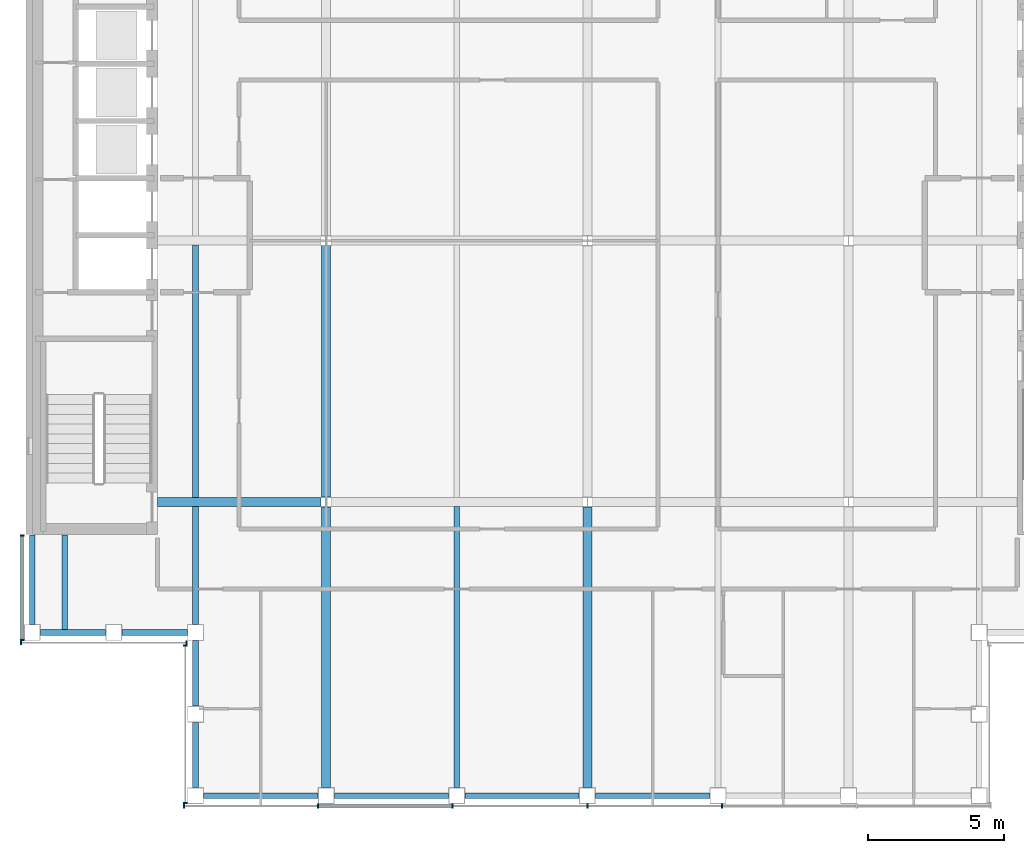
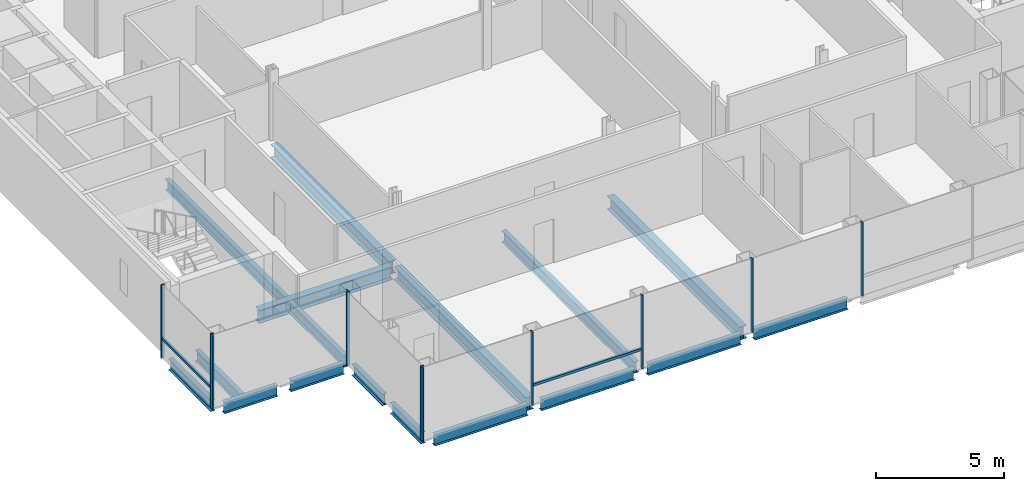
# One storey, part 3 of 15: 17 beams, 13 members, 4 elements without a shape of their own.
"""IFC4 building model written with IfcOpenShell, lengths in metres."""

import ifcopenshell
import ifcopenshell.guid

model = None  # the IFC model being written
_history = None  # IfcOwnerHistory: only IFC2X3 demands one
_inside = {}  # id of a spatial element -> (the spatial element, [elements in it])
_under = {}  # id of a project, library or spatial element -> (it, [spatial elements below it])
_declared = {}  # id of a project -> (the project, [libraries it declares])
_typed = {}  # id of a type object -> (the type object, [elements of that type])
_made_of = {}  # id of a material, layer set ... -> (it, [elements and type objects made of it])


def new_model(schema):
    """Start an empty IFC model of exactly this schema.

    Asked for "IFC4X3", IfcOpenShell would pick the latest addendum, in which some entities
    have other attributes; the version numbers below select the first issue.
    IFC2X3 requires an IfcOwnerHistory on every rooted entity: one is made here for all.
    """
    global model, _history
    if schema == "IFC4X3":
        model = ifcopenshell.file(schema_version=(4, 3, 0, 0))
    else:
        model = ifcopenshell.file(schema=schema)
    _inside.clear()
    _under.clear()
    _declared.clear()
    _typed.clear()
    _made_of.clear()
    _history = None
    if model.schema == "IFC2X3":
        org = make("IfcOrganization", Name="unknown")
        user = make(
            "IfcPersonAndOrganization",
            ThePerson=make("IfcPerson", FamilyName="unknown"),
            TheOrganization=org,
        )
        app = make(
            "IfcApplication",
            ApplicationDeveloper=org,
            Version="unknown",
            ApplicationFullName="unknown",
            ApplicationIdentifier="unknown",
        )
        _history = make(
            "IfcOwnerHistory",
            OwningUser=user,
            OwningApplication=app,
            ChangeAction="ADDED",
            CreationDate=0,
        )
    return model


def make(cls, **values):
    """One entity of the class cls with the attributes given. An attribute that is None is left unset."""
    return model.create_entity(
        cls, **{name: value for name, value in values.items() if value is not None}
    )


def rooted(cls, **values):
    """An entity with a GlobalId (a new one), such as an element, a storey or a relation."""
    return make(cls, GlobalId=ifcopenshell.guid.new(), OwnerHistory=_history, **values)


def si_unit(unit_type, name, prefix=None):
    """IfcSIUnit, for example si_unit("LENGTHUNIT", "METRE", prefix="MILLI")."""
    return make("IfcSIUnit", UnitType=unit_type, Prefix=prefix, Name=name)


def assignment(units):
    """IfcUnitAssignment: the units of a project."""
    return None if units is None else make("IfcUnitAssignment", Units=units)


def point(xyz):
    """IfcCartesianPoint."""
    return None if xyz is None else make("IfcCartesianPoint", Coordinates=xyz)


def direction(xyz):
    """IfcDirection."""
    return None if xyz is None else make("IfcDirection", DirectionRatios=xyz)


def frame(location, z_axis=None, x_axis=None):
    """IfcAxis2Placement3D, a coordinate frame: its origin and axes. An axis left out is left unset."""
    return make(
        "IfcAxis2Placement3D",
        Location=point(location),
        Axis=direction(z_axis),
        RefDirection=direction(x_axis),
    )


def frame_2d(location, x_axis=None):
    """IfcAxis2Placement2D, a coordinate frame in the plane: its origin and x axis."""
    return make(
        "IfcAxis2Placement2D", Location=point(location), RefDirection=direction(x_axis)
    )


def origin():
    """The frame at (0, 0, 0) with its axes left unset."""
    return frame((0.0, 0.0, 0.0))


def origin_2d():
    """The frame at (0, 0) in the plane with its x axis left unset."""
    return frame_2d((0.0, 0.0))


def place(relative_to, where):
    """IfcLocalPlacement: puts the frame where relative to a parent placement (None: the world)."""
    return make(
        "IfcLocalPlacement", PlacementRelTo=relative_to, RelativePlacement=where
    )


def context(
    kind, dimensions, precision=None, world=None, true_north=None, identifier=None
):
    """IfcGeometricRepresentationContext, for example the 3D "Model" context."""
    return make(
        "IfcGeometricRepresentationContext",
        ContextIdentifier=identifier,
        ContextType=kind,
        CoordinateSpaceDimension=dimensions,
        Precision=precision,
        WorldCoordinateSystem=world,
        TrueNorth=true_north,
    )


def subcontext(parent, identifier, kind, view, scale=None):
    """IfcGeometricRepresentationSubContext, for example "Body" below "Model"."""
    return make(
        "IfcGeometricRepresentationSubContext",
        ContextIdentifier=identifier,
        ContextType=kind,
        ParentContext=parent,
        TargetScale=scale,
        TargetView=view,
    )


def project(units=None, contexts=None):
    """IfcProject with its units and contexts."""
    return rooted(
        "IfcProject",
        Name="project",
        RepresentationContexts=contexts,
        UnitsInContext=assignment(units),
    )


def spatial(cls, under=None, at=None, **own):
    """A site, building, storey or space (cls), placed at a placement, below another one or the project."""
    s = rooted(cls, ObjectPlacement=at, **own)
    if under is not None:
        _under.setdefault(under.id(), (under, []))[1].append(s)
    return s


def profile(cls, at=None, kind="AREA", **sizes):
    """A parametric profile (cls). Its sizes go by their IFC names, for example OverallWidth=200.0."""
    return make(cls, ProfileType=kind, Position=at, **sizes)


def rectangle(**sizes):
    """IfcRectangleProfileDef."""
    return profile("IfcRectangleProfileDef", **sizes)


def i_section(**sizes):
    """IfcIShapeProfileDef."""
    return profile("IfcIShapeProfileDef", **sizes)


def extrude(swept, where, along, depth):
    """IfcExtrudedAreaSolid: the profile swept, set in the frame where, extruded along a direction by depth."""
    return make(
        "IfcExtrudedAreaSolid",
        SweptArea=swept,
        Position=where,
        ExtrudedDirection=direction(along),
        Depth=depth,
    )


def shape(context_of_items, identifier, shape_type, items):
    """IfcShapeRepresentation: the items that make up one representation, for example the "Body"."""
    return make(
        "IfcShapeRepresentation",
        ContextOfItems=context_of_items,
        RepresentationIdentifier=identifier,
        RepresentationType=shape_type,
        Items=items,
    )


def material(Name=None, Category=None):
    """IfcMaterial."""
    return make("IfcMaterial", Name=Name, Category=Category)


def material_profile(
    of_material, cross_section, Name=None, Category=None, Priority=None
):
    """IfcMaterialProfile: a cross section and its material."""
    return make(
        "IfcMaterialProfile",
        Name=Name,
        Material=of_material,
        Profile=cross_section,
        Priority=Priority,
        Category=Category,
    )


def profile_set(profiles, Name=None, composite=None):
    """IfcMaterialProfileSet."""
    return make(
        "IfcMaterialProfileSet",
        Name=Name,
        MaterialProfiles=profiles,
        CompositeProfile=composite,
    )


def made_of(thing, what):
    """Note that an element or type object is made of a material, layer set ...; save() writes the relation."""
    if what is not None:
        _made_of.setdefault(what.id(), (what, []))[1].append(thing)
    return thing


def type_object(cls, material=None, **own):
    """A type object (cls), such as IfcWallType, which elements share."""
    return made_of(rooted(cls, **own), material)


def element(
    cls,
    number,
    at=None,
    inside=None,
    cuts=None,
    type_object=None,
    material=None,
    context=None,
    identifier="Body",
    shape_type=None,
    held_by="IfcProductDefinitionShape",
    body=None,
    shapes=None,
    **own,
):
    """One element of the class cls, such as IfcWall. Its Tag is "e" and its number.

    at: its placement. inside: the storey or other place that contains it. cuts: it is an
    opening in that element (IfcRelVoidsElement). A single representation is given by context,
    identifier, shape_type and body (its items); several are given by shapes. held_by: the class
    of the entity that holds the representations. save() writes the other relations.
    """
    e = rooted(cls, Tag="e%d" % number, ObjectPlacement=at, **own)
    if body is not None:
        shapes = [shape(context, identifier, shape_type, body)]
    if shapes is not None:
        e.Representation = make(held_by, Representations=shapes)
    if inside is not None:
        _inside.setdefault(inside.id(), (inside, []))[1].append(e)
    if cuts is not None:
        rooted(
            "IfcRelVoidsElement", RelatingBuildingElement=cuts, RelatedOpeningElement=e
        )
    if type_object is not None:
        _typed.setdefault(type_object.id(), (type_object, []))[1].append(e)
    return made_of(e, material)


def aggregate(whole, parts):
    """IfcRelAggregates: a whole, such as a stair, and the parts it consists of."""
    return rooted("IfcRelAggregates", RelatingObject=whole, RelatedObjects=parts)


def save(model, path):
    """Write the relations noted so far, then the file.

    IfcRelAggregates (storeys below a building ...), IfcRelContainedInSpatialStructure (elements
    in a storey), IfcRelDefinesByType, IfcRelAssociatesMaterial and IfcRelDeclares: one each for
    every whole, place, type object, material and project.
    """
    for whole, parts in _under.values():
        aggregate(whole, parts)
    for where, things in _inside.values():
        rooted(
            "IfcRelContainedInSpatialStructure",
            RelatedElements=things,
            RelatingStructure=where,
        )
    for kind, things in _typed.values():
        rooted("IfcRelDefinesByType", RelatedObjects=things, RelatingType=kind)
    for what, things in _made_of.values():
        rooted("IfcRelAssociatesMaterial", RelatedObjects=things, RelatingMaterial=what)
    for by, libraries in _declared.values():
        rooted("IfcRelDeclares", RelatingContext=by, RelatedDefinitions=libraries)
    model.write(path)


model = new_model("IFC4")

# Units and contexts
model_context = context("Model", 3, precision=1e-05, world=origin(), true_north=direction((0.0, 1.0)))
body_context = subcontext(model_context, "Body", "Model", "MODEL_VIEW")
ifc_project = project(units=[si_unit("LENGTHUNIT", "METRE"), si_unit("AREAUNIT", "SQUARE_METRE"), si_unit("VOLUMEUNIT", "CUBIC_METRE"), si_unit("PLANEANGLEUNIT", "RADIAN"), si_unit("MASSUNIT", "GRAM", prefix="KILO")], contexts=[model_context])

# Site, building, storey
site_placement = place(None, origin())
site = spatial("IfcSite", under=ifc_project, at=site_placement, CompositionType="ELEMENT")
building_placement = place(site_placement, origin())
building = spatial("IfcBuilding", under=site, at=building_placement, Name="Cobrizo Arcos Hotel Tower", CompositionType="ELEMENT")
storey_placement = place(building_placement, frame((0.0, 0.0, 251.5)))
storey = spatial("IfcBuildingStorey", under=building, at=storey_placement, Name="L66", CompositionType="ELEMENT", Elevation=251.5)

# Curtain wall, members
ifc_material_1 = material(Name="Aluminium 6063-T6 anodised bronze", Category="aluminium")
curtain_wall_type = type_object("IfcCurtainWallType", Name="CW-A guest facade", PredefinedType="NOTDEFINED", material=ifc_material_1)
curtain_wall_1_placement = place(storey_placement, origin())
curtain_wall_1 = element("IfcCurtainWall", 1, at=curtain_wall_1_placement, inside=storey, type_object=curtain_wall_type, Name="CW-A L66 S face", PredefinedType="NOTDEFINED")
ifc_material_profile_1 = material_profile(ifc_material_1, rectangle(XDim=0.14990234375, YDim=0.06005859375, at=origin_2d()), Name="CW-A mullion 150x60")
ifc_profile_set_1 = profile_set([ifc_material_profile_1], Name="Aluminium 6063-T6 anodised bronze")
member_type_1 = type_object("IfcMemberType", Name="CW-A mullion 150x60", PredefinedType="MULLION", material=ifc_profile_set_1)
member_1_placement = place(storey_placement, frame((-14.820068359375, -20.77490234375, 0.0), z_axis=(0.0, 0.0, 1.0), x_axis=(0.0, -1.0, 0.0)))
member_1 = element("IfcMember", 2, at=member_1_placement, type_object=member_type_1, Name="CW-A mullion 1", PredefinedType="MULLION", context=body_context, shape_type="SweptSolid", body=[
    extrude(rectangle(XDim=0.14990234375, YDim=0.06005859375, at=origin_2d()), origin(), (0.0, 0.0, 1.0), 3.5),
])
member_2_placement = place(storey_placement, frame((-9.89990234375, -20.77490234375, 0.0), z_axis=(0.0, 0.0, 1.0), x_axis=(0.0, -1.0, 0.0)))
member_2 = element("IfcMember", 3, at=member_2_placement, type_object=member_type_1, Name="CW-A mullion 2", PredefinedType="MULLION", context=body_context, shape_type="SweptSolid", body=[
    extrude(rectangle(XDim=0.14990234375, YDim=0.06005859375, at=origin_2d()), origin(), (0.0, 0.0, 1.0), 3.5),
])
member_3_placement = place(storey_placement, frame((-4.949951171875, -20.77490234375, 0.0), z_axis=(0.0, 0.0, 1.0), x_axis=(0.0, -1.0, 0.0)))
member_3 = element("IfcMember", 4, at=member_3_placement, type_object=member_type_1, Name="CW-A mullion 3", PredefinedType="MULLION", context=body_context, shape_type="SweptSolid", body=[
    extrude(rectangle(XDim=0.14990234375, YDim=0.06005859375, at=origin_2d()), origin(), (0.0, 0.0, 1.0), 3.5),
])
member_4_placement = place(storey_placement, frame((0.0, -20.77490234375, 0.0), z_axis=(0.0, 0.0, 1.0), x_axis=(0.0, -1.0, 0.0)))
member_4 = element("IfcMember", 5, at=member_4_placement, type_object=member_type_1, Name="CW-A mullion 4", PredefinedType="MULLION", context=body_context, shape_type="SweptSolid", body=[
    extrude(rectangle(XDim=0.14990234375, YDim=0.06005859375, at=origin_2d()), origin(), (0.0, 0.0, 1.0), 3.5),
])
member_5_placement = place(storey_placement, frame((4.949951171875, -20.77490234375, 0.0), z_axis=(0.0, 0.0, 1.0), x_axis=(0.0, -1.0, 0.0)))
member_5 = element("IfcMember", 6, at=member_5_placement, type_object=member_type_1, Name="CW-A mullion 5", PredefinedType="MULLION", context=body_context, shape_type="SweptSolid", body=[
    extrude(rectangle(XDim=0.14990234375, YDim=0.06005859375, at=origin_2d()), origin(), (0.0, 0.0, 1.0), 3.5),
])

curtain_wall_2_placement = place(storey_placement, origin())
curtain_wall_2 = element("IfcCurtainWall", 7, at=curtain_wall_2_placement, inside=storey, type_object=curtain_wall_type, Name="CW-A L66 W face", PredefinedType="NOTDEFINED")
member_6_placement = place(storey_placement, frame((-20.77490234375, -10.830078125, 0.0), z_axis=(0.0, 0.0, 1.0), x_axis=(-1.0, 0.0, 0.0)))
member_6 = element("IfcMember", 8, at=member_6_placement, type_object=member_type_1, Name="CW-A mullion 1", PredefinedType="MULLION", context=body_context, shape_type="SweptSolid", body=[
    extrude(rectangle(XDim=0.14990234375, YDim=0.06005859375, at=origin_2d()), origin(), (0.0, 0.0, 1.0), 3.5),
])
member_7_placement = place(storey_placement, frame((-20.77490234375, -14.669921875, 0.0), z_axis=(0.0, 0.0, 1.0), x_axis=(-1.0, 0.0, 0.0)))
member_7 = element("IfcMember", 9, at=member_7_placement, type_object=member_type_1, Name="CW-A mullion 2", PredefinedType="MULLION", context=body_context, shape_type="SweptSolid", body=[
    extrude(rectangle(XDim=0.14990234375, YDim=0.06005859375, at=origin_2d()), origin(), (0.0, 0.0, 1.0), 3.5),
])

curtain_wall_3_placement = place(storey_placement, origin())
curtain_wall_3 = element("IfcCurtainWall", 10, at=curtain_wall_3_placement, inside=storey, type_object=curtain_wall_type, Name="CW-A L66 S face", PredefinedType="NOTDEFINED")
member_8_placement = place(storey_placement, frame((-20.820068359375, -14.77490234375, 0.0), z_axis=(0.0, 0.0, 1.0), x_axis=(0.0, -1.0, 0.0)))
member_8 = element("IfcMember", 11, at=member_8_placement, type_object=member_type_1, Name="CW-A mullion 1", PredefinedType="MULLION", context=body_context, shape_type="SweptSolid", body=[
    extrude(rectangle(XDim=0.14990234375, YDim=0.06005859375, at=origin_2d()), origin(), (0.0, 0.0, 1.0), 3.5),
])
member_9_placement = place(storey_placement, frame((-14.72998046875, -14.77490234375, 0.0), z_axis=(0.0, 0.0, 1.0), x_axis=(0.0, -1.0, 0.0)))
member_9 = element("IfcMember", 12, at=member_9_placement, type_object=member_type_1, Name="CW-A mullion 2", PredefinedType="MULLION", context=body_context, shape_type="SweptSolid", body=[
    extrude(rectangle(XDim=0.14990234375, YDim=0.06005859375, at=origin_2d()), origin(), (0.0, 0.0, 1.0), 3.5),
])
aggregate(curtain_wall_3, [member_8, member_9])

curtain_wall_4_placement = place(storey_placement, origin())
curtain_wall_4 = element("IfcCurtainWall", 13, at=curtain_wall_4_placement, inside=storey, type_object=curtain_wall_type, Name="CW-A L66 W face", PredefinedType="NOTDEFINED")
member_10_placement = place(storey_placement, frame((-14.77490234375, -14.8798828125, 0.0), z_axis=(0.0, 0.0, 1.0), x_axis=(-1.0, 0.0, 0.0)))
member_10 = element("IfcMember", 14, at=member_10_placement, type_object=member_type_1, Name="CW-A mullion 1", PredefinedType="MULLION", context=body_context, shape_type="SweptSolid", body=[
    extrude(rectangle(XDim=0.14990234375, YDim=0.06005859375, at=origin_2d()), origin(), (0.0, 0.0, 1.0), 3.5),
])
member_11_placement = place(storey_placement, frame((-14.77490234375, -20.669921875, 0.0), z_axis=(0.0, 0.0, 1.0), x_axis=(-1.0, 0.0, 0.0)))
member_11 = element("IfcMember", 15, at=member_11_placement, type_object=member_type_1, Name="CW-A mullion 2", PredefinedType="MULLION", context=body_context, shape_type="SweptSolid", body=[
    extrude(rectangle(XDim=0.14990234375, YDim=0.06005859375, at=origin_2d()), origin(), (0.0, 0.0, 1.0), 3.5),
])
aggregate(curtain_wall_4, [member_10, member_11])

# Member
ifc_material_profile_2 = material_profile(ifc_material_1, rectangle(XDim=0.10009765625, YDim=0.1201171875, at=origin_2d()), Name="CW-A transom 120x100")
ifc_profile_set_2 = profile_set([ifc_material_profile_2], Name="Aluminium 6063-T6 anodised bronze")
member_type_2 = type_object("IfcMemberType", Name="CW-A transom 120x100", PredefinedType="USERDEFINED", material=ifc_profile_set_2)
member_12_placement = place(storey_placement, frame((-9.8701171875, -20.77490234375, 0.929931640625), z_axis=(1.0, 0.0, 0.0), x_axis=(0.0, 1.0, 0.0)))
member_12 = element("IfcMember", 16, at=member_12_placement, type_object=member_type_2, Name="CW-A transom 2085", ObjectType="TRANSOM", PredefinedType="USERDEFINED", context=body_context, shape_type="SweptSolid", body=[
    extrude(rectangle(XDim=0.10009765625, YDim=0.1201171875, at=origin_2d()), origin(), (0.0, 0.0, 1.0), 4.89013671875),
])

aggregate(curtain_wall_1, [member_1, member_2, member_3, member_4, member_5, member_12])

member_13_placement = place(storey_placement, frame((-20.77490234375, -10.860107421875, 0.929931640625), z_axis=(0.0, -1.0, 0.0), x_axis=(1.0, 0.0, 0.0)))
member_13 = element("IfcMember", 17, at=member_13_placement, type_object=member_type_2, Name="CW-A transom 2105", ObjectType="TRANSOM", PredefinedType="USERDEFINED", context=body_context, shape_type="SweptSolid", body=[
    extrude(rectangle(XDim=0.10009765625, YDim=0.1201171875, at=origin_2d()), origin(), (0.0, 0.0, 1.0), 3.77978515625),
])

aggregate(curtain_wall_2, [member_6, member_7, member_13])

# Beams
ifc_material_2 = material(Name="Steel ASTM A992 Grade 50", Category="steel")
ifc_material_profile_3 = material_profile(ifc_material_2, i_section(OverallWidth=0.209228515625, OverallDepth=0.533447265625, WebThickness=0.01025390625, FlangeThickness=0.015625, at=origin_2d()), Name="W21X62")
ifc_profile_set_3 = profile_set([ifc_material_profile_3], Name="Steel ASTM A992 Grade 50")
beam_type_1 = type_object("IfcBeamType", Name="W21X62 joist", PredefinedType="JOIST", material=ifc_profile_set_3)
beam_1_placement = place(storey_placement, frame((-19.199951171875, -14.31005859375, -0.416748046875), z_axis=(0.0, 1.0, 0.0), x_axis=(-1.0, 0.0, 0.0)))
element("IfcBeam", 18, at=beam_1_placement, inside=storey, type_object=beam_type_1, Name="Floor joist J1, L66, no. 001", PredefinedType="JOIST", context=body_context, shape_type="SweptSolid", body=[
    extrude(i_section(OverallWidth=0.209228515625, OverallDepth=0.533447265625, WebThickness=0.01025390625, FlangeThickness=0.015625, at=origin_2d()), origin(), (0.0, 0.0, 1.0), 3.5),
])
beam_2_placement = place(storey_placement, frame((-14.39990234375, -14.10009765625, -0.416748046875), z_axis=(0.0, 1.0, 0.0), x_axis=(-1.0, 0.0, 0.0)))
element("IfcBeam", 19, at=beam_2_placement, inside=storey, type_object=beam_type_1, Name="Floor joist J1, L66, no. 003", PredefinedType="JOIST", context=body_context, shape_type="SweptSolid", body=[
    extrude(i_section(OverallWidth=0.209228515625, OverallDepth=0.533447265625, WebThickness=0.01025390625, FlangeThickness=0.015625, at=origin_2d()), origin(), (0.0, 0.0, 1.0), 4.336181640625),
])
beam_3_placement = place(storey_placement, frame((-14.39990234375, -9.43603515625, -0.416748046875), z_axis=(0.0, 1.0, 0.0), x_axis=(-1.0, 0.0, 0.0)))
element("IfcBeam", 20, at=beam_3_placement, inside=storey, type_object=beam_type_1, Name="Floor joist J1, L66, no. 004", PredefinedType="JOIST", context=body_context, shape_type="SweptSolid", body=[
    extrude(i_section(OverallWidth=0.209228515625, OverallDepth=0.533447265625, WebThickness=0.01025390625, FlangeThickness=0.015625, at=origin_2d()), origin(), (0.0, 0.0, 1.0), 9.272216796875),
])
beam_4_placement = place(storey_placement, frame((-4.800048828125, -20.10009765625, -0.416748046875), z_axis=(0.0, 1.0, 0.0), x_axis=(-1.0, 0.0, 0.0)))
element("IfcBeam", 21, at=beam_4_placement, inside=storey, type_object=beam_type_1, Name="Floor joist J1, L66, no. 007", PredefinedType="JOIST", context=body_context, shape_type="SweptSolid", body=[
    extrude(i_section(OverallWidth=0.209228515625, OverallDepth=0.533447265625, WebThickness=0.01025390625, FlangeThickness=0.015625, at=origin_2d()), origin(), (0.0, 0.0, 1.0), 10.336181640625),
])
ifc_material_profile_4 = material_profile(ifc_material_2, i_section(OverallWidth=0.209228515625, OverallDepth=0.533447265625, WebThickness=0.01025390625, FlangeThickness=0.015625, at=origin_2d()), Name="W21X62")
ifc_profile_set_4 = profile_set([ifc_material_profile_4], Name="Steel ASTM A992 Grade 50")
beam_type_2 = type_object("IfcBeamType", Name="W21X62 spandrel", PredefinedType="SPANDREL", material=ifc_profile_set_4)
beam_5_placement = place(storey_placement, frame((-14.10009765625, -20.39990234375, -0.416748046875), z_axis=(1.0, 0.0, 0.0), x_axis=(0.0, 1.0, 0.0)))
element("IfcBeam", 22, at=beam_5_placement, inside=storey, type_object=beam_type_2, Name="Spandrel beam W21X62, L66, no. 001", PredefinedType="SPANDREL", context=body_context, shape_type="SweptSolid", body=[
    extrude(i_section(OverallWidth=0.209228515625, OverallDepth=0.533447265625, WebThickness=0.01025390625, FlangeThickness=0.015625, at=origin_2d()), origin(), (0.0, 0.0, 1.0), 4.2001953125),
])
for number, where, z_axis, x_axis, name in (
    (23, (-9.300048828125, -20.39990234375, -0.416748046875), (1.0, 0.0, 0.0), (0.0, 1.0, 0.0), "Spandrel beam W21X62, L66, no. 002"),
    (24, (-4.5, -20.39990234375, -0.416748046875), (1.0, 0.0, 0.0), (0.0, 1.0, 0.0), "Spandrel beam W21X62, L66, no. 003"),
    (25, (0.300048828125, -20.39990234375, -0.416748046875), (1.0, 0.0, 0.0), (0.0, 1.0, 0.0), "Spandrel beam W21X62, L66, no. 004"),
):
    element("IfcBeam", number, at=place(storey_placement, frame(where, z_axis=z_axis, x_axis=x_axis)), inside=storey, type_object=beam_type_2, Name=name, PredefinedType="SPANDREL", context=body_context, shape_type="SweptSolid", body=[
        extrude(i_section(OverallWidth=0.209228515625, OverallDepth=0.533447265625, WebThickness=0.01025390625, FlangeThickness=0.015625, at=origin_2d()), origin(), (0.0, 0.0, 1.0), 4.199951171875),
    ])
beam_6_placement = place(storey_placement, frame((-20.39990234375, -10.81005859375, -0.416748046875), z_axis=(0.0, -1.0, 0.0), x_axis=(1.0, 0.0, 0.0)))
element("IfcBeam", 26, at=beam_6_placement, inside=storey, type_object=beam_type_2, Name="Spandrel beam W21X62, L66, no. 028", PredefinedType="SPANDREL", context=body_context, shape_type="SweptSolid", body=[
    extrude(i_section(OverallWidth=0.209228515625, OverallDepth=0.533447265625, WebThickness=0.01025390625, FlangeThickness=0.015625, at=origin_2d()), origin(), (0.0, 0.0, 1.0), 3.2900390625),
])
for number, where, z_axis, x_axis, name in (
    (27, (-20.10009765625, -14.39990234375, -0.416748046875), (1.0, 0.0, 0.0), (0.0, 1.0, 0.0), "Spandrel beam W21X62, L66, no. 029"),
    (28, (-17.10009765625, -14.39990234375, -0.416748046875), (1.0, 0.0, 0.0), (0.0, 1.0, 0.0), "Spandrel beam W21X62, L66, no. 030"),
    (29, (-14.39990234375, -14.699951171875, -0.416748046875), (0.0, -1.0, 0.0), (1.0, 0.0, 0.0), "Spandrel beam W21X62, L66, no. 031"),
    (30, (-14.39990234375, -17.699951171875, -0.416748046875), (0.0, -1.0, 0.0), (1.0, 0.0, 0.0), "Spandrel beam W21X62, L66, no. 032"),
):
    element("IfcBeam", number, at=place(storey_placement, frame(where, z_axis=z_axis, x_axis=x_axis)), inside=storey, type_object=beam_type_2, Name=name, PredefinedType="SPANDREL", context=body_context, shape_type="SweptSolid", body=[
        extrude(i_section(OverallWidth=0.209228515625, OverallDepth=0.533447265625, WebThickness=0.01025390625, FlangeThickness=0.015625, at=origin_2d()), origin(), (0.0, 0.0, 1.0), 2.400146484375),
    ])
ifc_material_profile_5 = material_profile(ifc_material_2, i_section(OverallWidth=0.32763671875, OverallDepth=0.622314453125, WebThickness=0.015380859375, FlangeThickness=0.0244140625, at=origin_2d()), Name="W24X131")
ifc_profile_set_5 = profile_set([ifc_material_profile_5], Name="Steel ASTM A992 Grade 50")
beam_type_3 = type_object("IfcBeamType", Name="W24X131 girder", PredefinedType="BEAM", material=ifc_profile_set_5)
beam_7_placement = place(storey_placement, frame((-15.7900390625, -9.60009765625, -0.461181640625), z_axis=(1.0, 0.0, 0.0), x_axis=(0.0, 1.0, 0.0)))
element("IfcBeam", 31, at=beam_7_placement, inside=storey, type_object=beam_type_3, Name="Floor girder G1, L66, no. 001", PredefinedType="BEAM", context=body_context, shape_type="SweptSolid", body=[
    extrude(i_section(OverallWidth=0.32763671875, OverallDepth=0.622314453125, WebThickness=0.015380859375, FlangeThickness=0.0244140625, at=origin_2d()), origin(), (0.0, 0.0, 1.0), 6.005859375),
])
beam_8_placement = place(storey_placement, frame((-9.60009765625, -20.10009765625, -0.461181640625), z_axis=(0.0, 1.0, 0.0), x_axis=(-1.0, 0.0, 0.0)))
element("IfcBeam", 32, at=beam_8_placement, inside=storey, type_object=beam_type_3, Name="Floor girder G1, L66, no. 013", PredefinedType="BEAM", context=body_context, shape_type="SweptSolid", body=[
    extrude(i_section(OverallWidth=0.32763671875, OverallDepth=0.622314453125, WebThickness=0.015380859375, FlangeThickness=0.0244140625, at=origin_2d()), origin(), (0.0, 0.0, 1.0), 10.31591796875),
])
beam_9_placement = place(storey_placement, frame((-9.60009765625, -9.415771484375, -0.461181640625), z_axis=(0.0, 1.0, 0.0), x_axis=(-1.0, 0.0, 0.0)))
element("IfcBeam", 33, at=beam_9_placement, inside=storey, type_object=beam_type_3, Name="Floor girder G1, L66, no. 014", PredefinedType="BEAM", context=body_context, shape_type="SweptSolid", body=[
    extrude(i_section(OverallWidth=0.32763671875, OverallDepth=0.622314453125, WebThickness=0.015380859375, FlangeThickness=0.0244140625, at=origin_2d()), origin(), (0.0, 0.0, 1.0), 9.231689453125),
])
beam_10_placement = place(storey_placement, frame((0.0, -20.10009765625, -0.461181640625), z_axis=(0.0, 1.0, 0.0), x_axis=(-1.0, 0.0, 0.0)))
element("IfcBeam", 34, at=beam_10_placement, inside=storey, type_object=beam_type_3, Name="Floor girder G1, L66, no. 017", PredefinedType="BEAM", context=body_context, shape_type="SweptSolid", body=[
    extrude(i_section(OverallWidth=0.32763671875, OverallDepth=0.622314453125, WebThickness=0.015380859375, FlangeThickness=0.0244140625, at=origin_2d()), origin(), (0.0, 0.0, 1.0), 10.31591796875),
])

save(model, "model.ifc")
